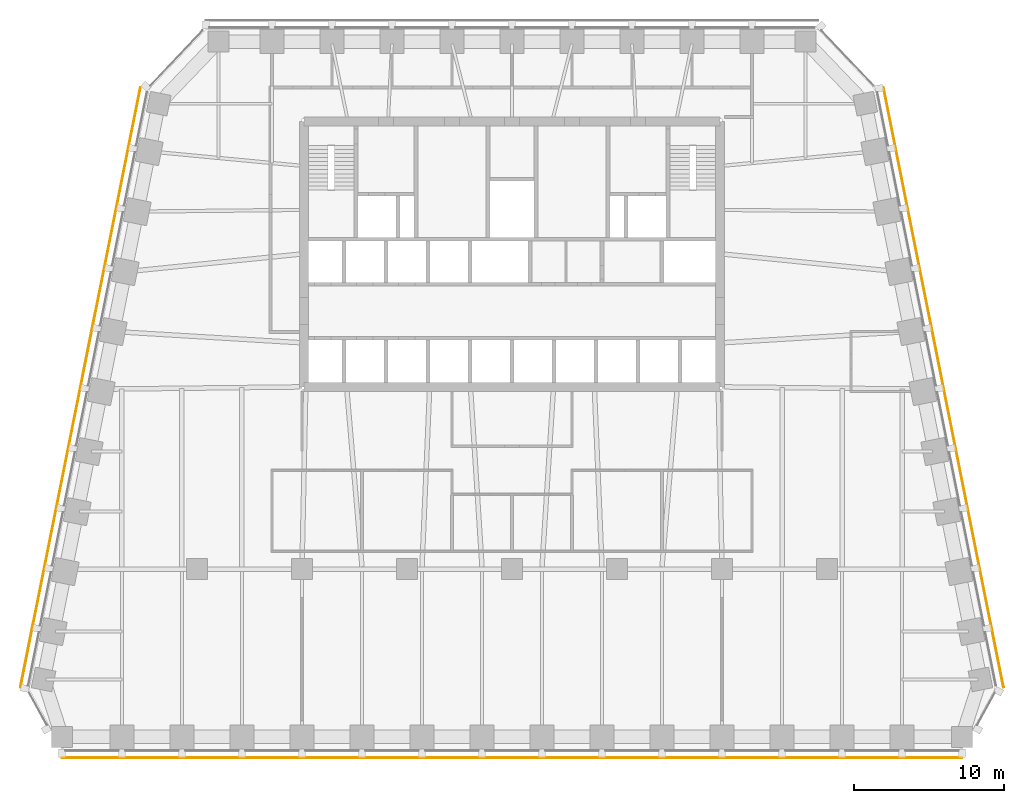
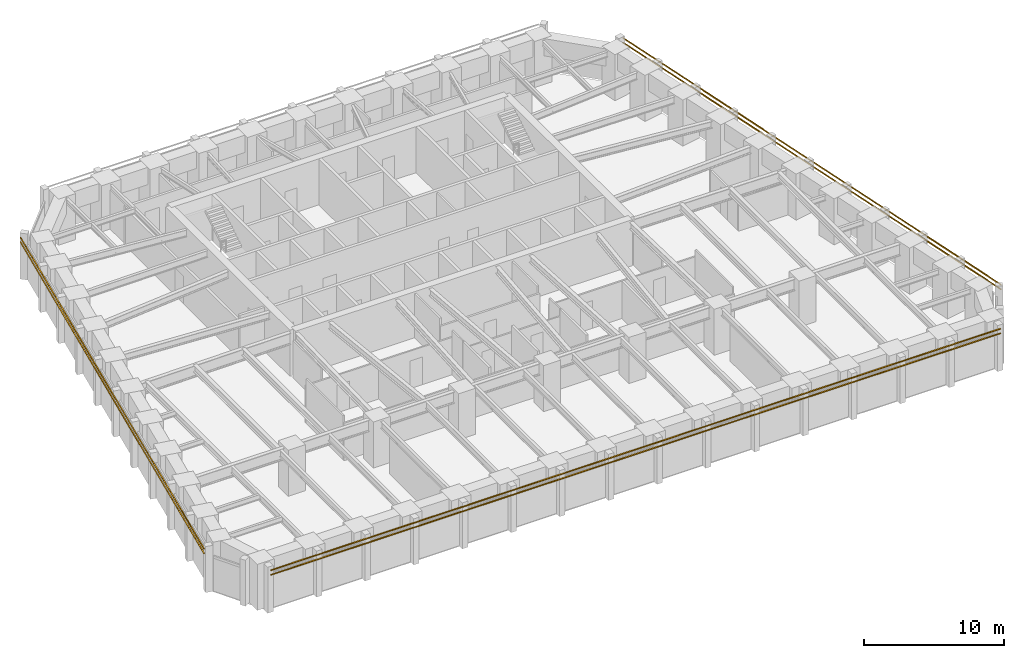
# One storey, part 8 of 9: 6 shading devices.
"""IFC4 building model written with IfcOpenShell, lengths in metres."""

from ifc_helpers import new_model, si_unit, direction, frame, origin, origin_2d, place, context, subcontext, project, spatial, rectangle, extrude, material, material_profile, profile_set, type_object, element, save


model = new_model("IFC4")

# Units and contexts
model_context = context("Model", 3, precision=1e-05, world=origin(), true_north=direction((0.0, 1.0)))
body_context = subcontext(model_context, "Body", "Model", "MODEL_VIEW")
ifc_project = project(units=[si_unit("LENGTHUNIT", "METRE"), si_unit("AREAUNIT", "SQUARE_METRE"), si_unit("VOLUMEUNIT", "CUBIC_METRE"), si_unit("PLANEANGLEUNIT", "RADIAN"), si_unit("MASSUNIT", "GRAM", prefix="KILO")], contexts=[model_context])

# Site, building, storey
site_placement = place(None, origin())
site = spatial("IfcSite", under=ifc_project, at=site_placement, CompositionType="ELEMENT")
building_placement = place(site_placement, origin())
building = spatial("IfcBuilding", under=site, at=building_placement, Name="Isbrekke Arena Tower", CompositionType="ELEMENT")
storey_placement = place(building_placement, frame((0.0, 0.0, 178.0)))
storey = spatial("IfcBuildingStorey", under=building, at=storey_placement, Name="L40", CompositionType="ELEMENT", Elevation=178.0)

# Shading devices
ifc_material = material(Name="Terracotta", Category="masonry")
ifc_material_profile = material_profile(ifc_material, rectangle(XDim=0.06005859375, YDim=0.06005859375, at=origin_2d()), Name="BAGUETTE 60X60")
ifc_profile_set = profile_set([ifc_material_profile], Name="Terracotta")
shading_device_type = type_object("IfcShadingDeviceType", Name="BG1 TERRACOTTA BAGUETTE 60 x 60", PredefinedType="USERDEFINED", material=ifc_profile_set)
for number, where, z_axis, x_axis, name in (
    (1, (-30.0, -18.580078125, 3.280029296875), (1.0, 0.0, 0.0), (0.0, 1.0, 0.0), "BG1 terracotta baguette S1 L40"),
    (2, (-30.0, -18.580078125, 3.679931640625), (1.0, 0.0, 0.0), (0.0, 1.0, 0.0), "BG1 terracotta baguette S2 L40"),
):
    element("IfcShadingDevice", number, at=place(storey_placement, frame(where, z_axis=z_axis, x_axis=x_axis)), inside=storey, type_object=shading_device_type, Name=name, ObjectType="TERRACOTTA BAGUETTE", PredefinedType="USERDEFINED", context=body_context, shape_type="SweptSolid", body=[
        extrude(rectangle(XDim=0.06005859375, YDim=0.06005859375, at=origin_2d()), origin(), (0.0, 0.0, 1.0), 60.0),
    ])
for number, where, z_axis, x_axis, name in (
    (3, (32.768798828125, -13.88623046875, 3.280029296875), (-0.196116135138, 0.980580675691, 0.0), (-0.980580675691, -0.196116135138, 0.0), "BG1 terracotta baguette E1 L40"),
    (4, (32.768798828125, -13.88623046875, 3.679931640625), (-0.196116135138, 0.980580675691, 0.0), (-0.980580675691, -0.196116135138, 0.0), "BG1 terracotta baguette E2 L40"),
    (5, (-24.768798828125, 26.11376953125, 3.280029296875), (-0.196116135138, -0.980580675691, 0.0), (0.980580675691, -0.196116135138, 0.0), "BG1 terracotta baguette W1 L40"),
    (6, (-24.768798828125, 26.11376953125, 3.679931640625), (-0.196116135138, -0.980580675691, 0.0), (0.980580675691, -0.196116135138, 0.0), "BG1 terracotta baguette W2 L40"),
):
    element("IfcShadingDevice", number, at=place(storey_placement, frame(where, z_axis=z_axis, x_axis=x_axis)), inside=storey, type_object=shading_device_type, Name=name, ObjectType="TERRACOTTA BAGUETTE", PredefinedType="USERDEFINED", context=body_context, shape_type="SweptSolid", body=[
        extrude(rectangle(XDim=0.06005859375, YDim=0.06005859375, at=origin_2d()), origin(), (0.0, 0.0, 1.0), 40.792236328125),
    ])

save(model, "model.ifc")
